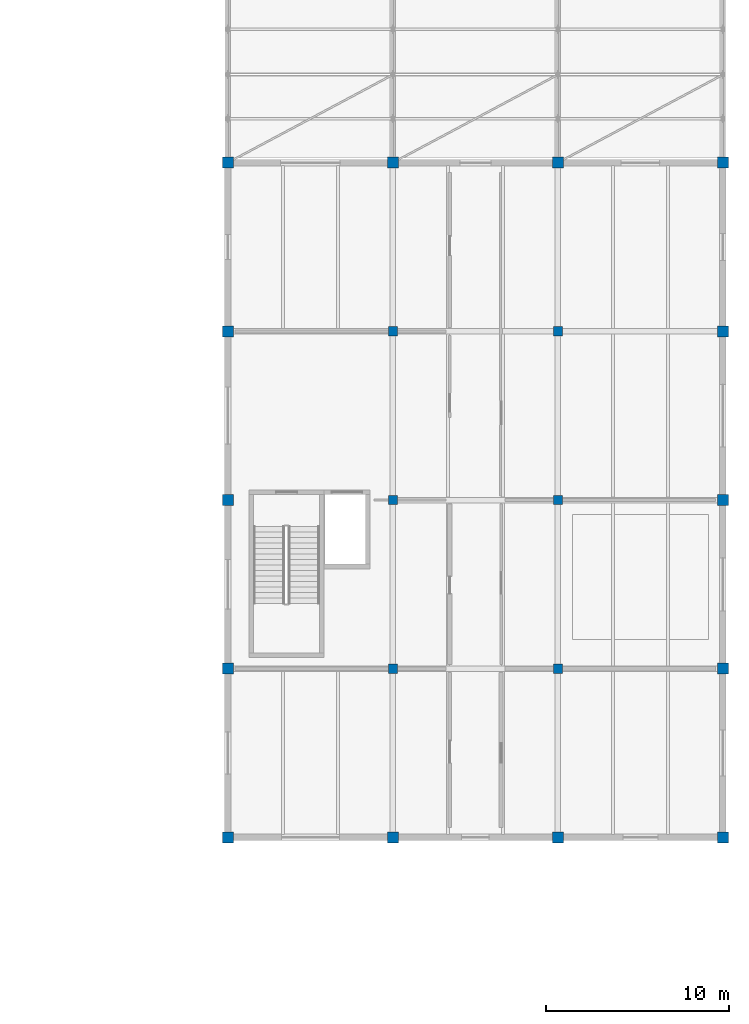
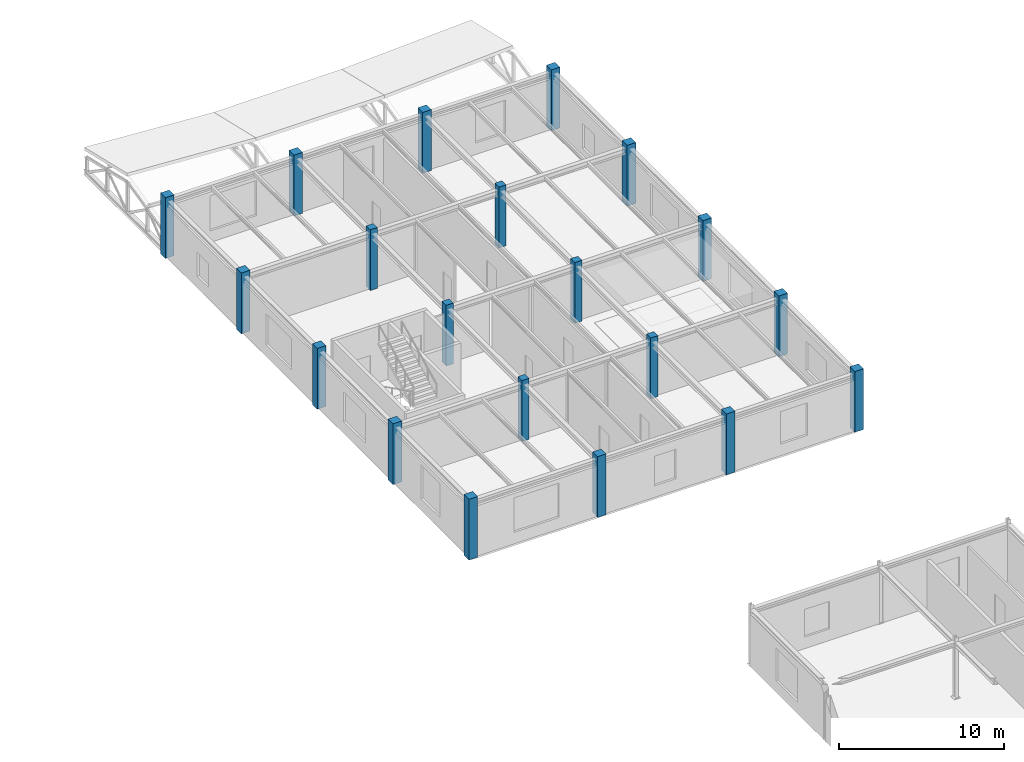
# One storey, part 6 of 55: 20 columns.
"""IFC4 building model written with IfcOpenShell, lengths in metres."""

from ifc_helpers import new_model, si_unit, direction, frame, origin, origin_2d, place, context, subcontext, project, spatial, rectangle, extrude, material, material_profile, profile_set, type_object, element, save


model = new_model("IFC4")

# Units and contexts
model_context = context("Model", 3, precision=1e-05, world=origin(), true_north=direction((0.0, 1.0)))
body_context = subcontext(model_context, "Body", "Model", "MODEL_VIEW")
ifc_project = project(units=[si_unit("LENGTHUNIT", "METRE"), si_unit("AREAUNIT", "SQUARE_METRE"), si_unit("VOLUMEUNIT", "CUBIC_METRE"), si_unit("PLANEANGLEUNIT", "RADIAN"), si_unit("MASSUNIT", "GRAM", prefix="KILO")], contexts=[model_context])

# Site, building, storey
site_placement = place(None, origin())
site = spatial("IfcSite", under=ifc_project, at=site_placement, CompositionType="ELEMENT")
building_placement = place(site_placement, origin())
building = spatial("IfcBuilding", under=site, at=building_placement, Name="Bozkorgan Art Gallery", CompositionType="ELEMENT")
storey_placement = place(building_placement, frame((0.0, 0.0, 15.0)))
storey = spatial("IfcBuildingStorey", under=building, at=storey_placement, Name="L03", CompositionType="ELEMENT", Elevation=15.0)

# Columns
ifc_material = material(Name="Concrete C40/50", Category="concrete")
ifc_material_profile_1 = material_profile(ifc_material, rectangle(XDim=0.60009765625, YDim=0.60009765625, at=origin_2d()), Name="RC 600x600")
ifc_profile_set_1 = profile_set([ifc_material_profile_1], Name="Concrete C40/50")
column_type_1 = type_object("IfcColumnType", Name="COLUMN-C-24", PredefinedType="COLUMN", material=ifc_profile_set_1)
for number, where, z_axis, x_axis, name in (
    (1, (137.0, 66.0, 0.0), (0.0, 0.0, 1.0), (1.0, 0.0, 0.0), "V5 L03 column (137.0, 66.0)"),
    (2, (137.0, 75.199951171875, 0.0), (0.0, 0.0, 1.0), (1.0, 0.0, 0.0), "V5 L03 column (137.0, 75.2)"),
    (3, (137.0, 84.39990234375, 0.0), (0.0, 0.0, 1.0), (1.0, 0.0, 0.0), "V5 L03 column (137.0, 84.4)"),
    (4, (137.0, 93.60009765625, 0.0), (0.0, 0.0, 1.0), (1.0, 0.0, 0.0), "V5 L03 column (137.0, 93.6)"),
    (5, (137.0, 102.800048828125, 0.0), (0.0, 0.0, 1.0), (1.0, 0.0, 0.0), "V5 L03 column (137.0, 102.8)"),
    (6, (146.0, 66.0, 0.0), (0.0, 0.0, 1.0), (1.0, 0.0, 0.0), "V5 L03 column (146.0, 66.0)"),
    (7, (146.0, 102.800048828125, 0.0), (0.0, 0.0, 1.0), (1.0, 0.0, 0.0), "V5 L03 column (146.0, 102.8)"),
    (8, (155.0, 66.0, 0.0), (0.0, 0.0, 1.0), (1.0, 0.0, 0.0), "V5 L03 column (155.0, 66.0)"),
    (9, (155.0, 102.800048828125, 0.0), (0.0, 0.0, 1.0), (1.0, 0.0, 0.0), "V5 L03 column (155.0, 102.8)"),
    (10, (164.0, 66.0, 0.0), (0.0, 0.0, 1.0), (1.0, 0.0, 0.0), "V5 L03 column (164.0, 66.0)"),
    (11, (164.0, 75.199951171875, 0.0), (0.0, 0.0, 1.0), (1.0, 0.0, 0.0), "V5 L03 column (164.0, 75.2)"),
    (12, (164.0, 84.39990234375, 0.0), (0.0, 0.0, 1.0), (1.0, 0.0, 0.0), "V5 L03 column (164.0, 84.4)"),
    (13, (164.0, 93.60009765625, 0.0), (0.0, 0.0, 1.0), (1.0, 0.0, 0.0), "V5 L03 column (164.0, 93.6)"),
    (14, (164.0, 102.800048828125, 0.0), (0.0, 0.0, 1.0), (1.0, 0.0, 0.0), "V5 L03 column (164.0, 102.8)"),
):
    element("IfcColumn", number, at=place(storey_placement, frame(where, z_axis=z_axis, x_axis=x_axis)), inside=storey, type_object=column_type_1, Name=name, PredefinedType="COLUMN", context=body_context, shape_type="SweptSolid", body=[
        extrude(rectangle(XDim=0.60009765625, YDim=0.60009765625, at=origin_2d()), origin(), (0.0, 0.0, 1.0), 4.5),
    ])
ifc_material_profile_2 = material_profile(ifc_material, rectangle(XDim=0.5, YDim=0.5, at=origin_2d()), Name="RC 500x500")
ifc_profile_set_2 = profile_set([ifc_material_profile_2], Name="Concrete C40/50")
column_type_2 = type_object("IfcColumnType", Name="COLUMN-C-33", PredefinedType="COLUMN", material=ifc_profile_set_2)
for number, where, z_axis, x_axis, name in (
    (15, (146.0, 75.199951171875, 0.0), (0.0, 0.0, 1.0), (1.0, 0.0, 0.0), "V5 L03 column (146.0, 75.2)"),
    (16, (146.0, 84.39990234375, 0.0), (0.0, 0.0, 1.0), (1.0, 0.0, 0.0), "V5 L03 column (146.0, 84.4)"),
    (17, (146.0, 93.60009765625, 0.0), (0.0, 0.0, 1.0), (1.0, 0.0, 0.0), "V5 L03 column (146.0, 93.6)"),
    (18, (155.0, 75.199951171875, 0.0), (0.0, 0.0, 1.0), (1.0, 0.0, 0.0), "V5 L03 column (155.0, 75.2)"),
    (19, (155.0, 84.39990234375, 0.0), (0.0, 0.0, 1.0), (1.0, 0.0, 0.0), "V5 L03 column (155.0, 84.4)"),
    (20, (155.0, 93.60009765625, 0.0), (0.0, 0.0, 1.0), (1.0, 0.0, 0.0), "V5 L03 column (155.0, 93.6)"),
):
    element("IfcColumn", number, at=place(storey_placement, frame(where, z_axis=z_axis, x_axis=x_axis)), inside=storey, type_object=column_type_2, Name=name, PredefinedType="COLUMN", context=body_context, shape_type="SweptSolid", body=[
        extrude(rectangle(XDim=0.5, YDim=0.5, at=origin_2d()), origin(), (0.0, 0.0, 1.0), 4.5),
    ])

save(model, "model.ifc")
